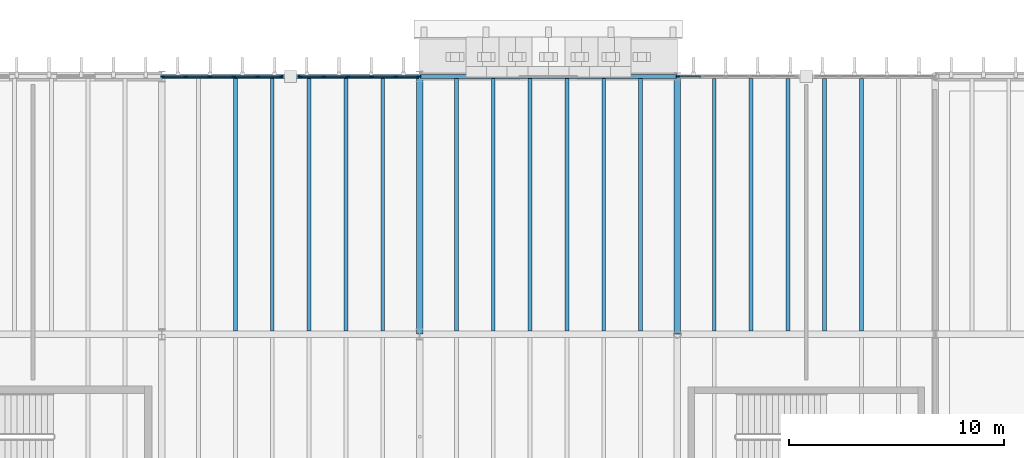
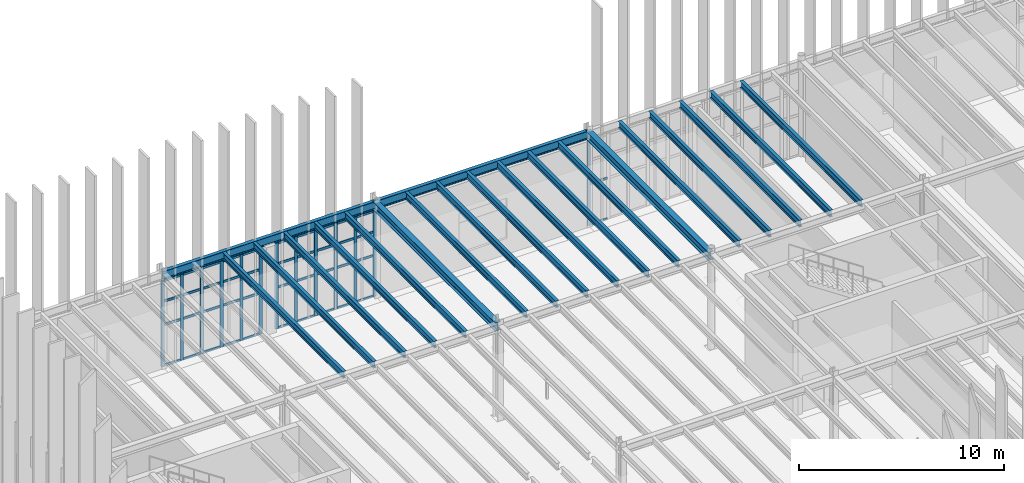
# One storey, part 20 of 83: 55 members, 20 beams, 3 elements without a shape of their own.
"""IFC4 building model written with IfcOpenShell, lengths in metres."""

from ifc_helpers import new_model, si_unit, direction, frame, origin, origin_2d, place, context, subcontext, project, spatial, rectangle, i_section, extrude, material, layer, layer_set, material_profile, profile_set, type_object, element, aggregate, save


model = new_model("IFC4")

# Units and contexts
model_context = context("Model", 3, precision=1e-05, world=origin(), true_north=direction((0.0, 1.0)))
body_context = subcontext(model_context, "Body", "Model", "MODEL_VIEW")
ifc_project = project(units=[si_unit("LENGTHUNIT", "METRE"), si_unit("AREAUNIT", "SQUARE_METRE"), si_unit("VOLUMEUNIT", "CUBIC_METRE"), si_unit("PLANEANGLEUNIT", "RADIAN"), si_unit("MASSUNIT", "GRAM", prefix="KILO")], contexts=[model_context])

# Site, building, storey
site_placement = place(None, origin())
site = spatial("IfcSite", under=ifc_project, at=site_placement, CompositionType="ELEMENT")
building_placement = place(site_placement, origin())
building = spatial("IfcBuilding", under=site, at=building_placement, Name="Zlatogorsky Bluff Art Gallery", CompositionType="ELEMENT")
storey_placement = place(building_placement, frame((0.0, 0.0, 10.800048828125)))
storey = spatial("IfcBuildingStorey", under=building, at=storey_placement, Name="L02", CompositionType="ELEMENT", Elevation=10.800048828125)

# Beams
ifc_material_1 = material(Name="Steel S355", Category="steel")
ifc_material_profile_1 = material_profile(ifc_material_1, i_section(OverallWidth=0.300048828125, OverallDepth=0.489990234375, WebThickness=0.011962890625, FlangeThickness=0.02294921875, FilletRadius=0.027099609375, at=origin_2d()), Name="HEA 500")
ifc_profile_set_1 = profile_set([ifc_material_profile_1], Name="Steel S355")
beam_type_1 = type_object("IfcBeamType", Name="Beam BM-07 HEA 500", PredefinedType="BEAM", material=ifc_profile_set_1)
for number, where, z_axis, x_axis, name in (
    (1, (24.0, 108.014892578125, 5.445068359375), (0.0, 1.0, 0.0), (-1.0, 0.0, 0.0), "Primary girder BM-07 L02 C/11-12"),
    (2, (36.0, 108.014892578125, 5.445068359375), (0.0, 1.0, 0.0), (-1.0, 0.0, 0.0), "Primary girder BM-07 L02 D/11-12"),
):
    element("IfcBeam", number, at=place(storey_placement, frame(where, z_axis=z_axis, x_axis=x_axis)), inside=storey, type_object=beam_type_1, Name=name, PredefinedType="BEAM", context=body_context, shape_type="SweptSolid", body=[
        extrude(i_section(OverallWidth=0.300048828125, OverallDepth=0.489990234375, WebThickness=0.011962890625, FlangeThickness=0.02294921875, FilletRadius=0.027099609375, at=origin_2d()), origin(), (0.0, 0.0, 1.0), 11.97021484375),
    ])
ifc_material_profile_2 = material_profile(ifc_material_1, i_section(OverallWidth=0.179931640625, OverallDepth=0.39990234375, WebThickness=0.008544921875, FlangeThickness=0.013427734375, FilletRadius=0.02099609375, at=origin_2d()), Name="IPE 400")
ifc_profile_set_2 = profile_set([ifc_material_profile_2], Name="Steel S355")
beam_type_2 = type_object("IfcBeamType", Name="Beam JS-05 IPE 400", PredefinedType="JOIST", material=ifc_profile_set_2)
for number, where, z_axis, x_axis, name in (
    (3, (15.428466796875, 108.14990234375, 5.489990234375), (0.0, 1.0, 0.0), (-1.0, 0.0, 0.0), "Composite floor joist JS-05 L02 01.10.2"),
    (4, (17.142822265625, 108.14990234375, 5.489990234375), (0.0, 1.0, 0.0), (-1.0, 0.0, 0.0), "Composite floor joist JS-05 L02 01.10.3"),
    (5, (18.857177734375, 108.14990234375, 5.489990234375), (0.0, 1.0, 0.0), (-1.0, 0.0, 0.0), "Composite floor joist JS-05 L02 01.10.4"),
    (6, (20.571533203125, 108.14990234375, 5.489990234375), (0.0, 1.0, 0.0), (-1.0, 0.0, 0.0), "Composite floor joist JS-05 L02 01.10.5"),
    (7, (22.28564453125, 108.14990234375, 5.489990234375), (0.0, 1.0, 0.0), (-1.0, 0.0, 0.0), "Composite floor joist JS-05 L02 01.10.6"),
    (8, (25.71435546875, 108.14990234375, 5.489990234375), (0.0, 1.0, 0.0), (-1.0, 0.0, 0.0), "Composite floor joist JS-05 L02 02.10.1"),
    (9, (27.428466796875, 108.14990234375, 5.489990234375), (0.0, 1.0, 0.0), (-1.0, 0.0, 0.0), "Composite floor joist JS-05 L02 02.10.2"),
    (10, (29.142822265625, 108.14990234375, 5.489990234375), (0.0, 1.0, 0.0), (-1.0, 0.0, 0.0), "Composite floor joist JS-05 L02 02.10.3"),
    (11, (30.857177734375, 108.14990234375, 5.489990234375), (0.0, 1.0, 0.0), (-1.0, 0.0, 0.0), "Composite floor joist JS-05 L02 02.10.4"),
    (12, (32.571533203125, 108.14990234375, 5.489990234375), (0.0, 1.0, 0.0), (-1.0, 0.0, 0.0), "Composite floor joist JS-05 L02 02.10.5"),
    (13, (34.28564453125, 108.14990234375, 5.489990234375), (0.0, 1.0, 0.0), (-1.0, 0.0, 0.0), "Composite floor joist JS-05 L02 02.10.6"),
    (14, (37.71435546875, 108.14990234375, 5.489990234375), (0.0, 1.0, 0.0), (-1.0, 0.0, 0.0), "Composite floor joist JS-05 L02 03.10.1"),
    (15, (39.428466796875, 108.14990234375, 5.489990234375), (0.0, 1.0, 0.0), (-1.0, 0.0, 0.0), "Composite floor joist JS-05 L02 03.10.2"),
    (16, (41.142822265625, 108.14990234375, 5.489990234375), (0.0, 1.0, 0.0), (-1.0, 0.0, 0.0), "Composite floor joist JS-05 L02 03.10.3"),
    (17, (42.857177734375, 108.14990234375, 5.489990234375), (0.0, 1.0, 0.0), (-1.0, 0.0, 0.0), "Composite floor joist JS-05 L02 03.10.4"),
    (18, (44.571533203125, 108.14990234375, 5.489990234375), (0.0, 1.0, 0.0), (-1.0, 0.0, 0.0), "Composite floor joist JS-05 L02 03.10.5"),
):
    element("IfcBeam", number, at=place(storey_placement, frame(where, z_axis=z_axis, x_axis=x_axis)), inside=storey, type_object=beam_type_2, Name=name, PredefinedType="JOIST", context=body_context, shape_type="SweptSolid", body=[
        extrude(i_section(OverallWidth=0.179931640625, OverallDepth=0.39990234375, WebThickness=0.008544921875, FlangeThickness=0.013427734375, FilletRadius=0.02099609375, at=origin_2d()), origin(), (0.0, 0.0, 1.0), 11.75),
    ])
ifc_material_profile_3 = material_profile(ifc_material_1, i_section(OverallWidth=0.199951171875, OverallDepth=0.5, WebThickness=0.01025390625, FlangeThickness=0.01611328125, FilletRadius=0.02099609375, at=origin_2d()), Name="IPE 500")
ifc_profile_set_3 = profile_set([ifc_material_profile_3], Name="Steel S355")
beam_type_3 = type_object("IfcBeamType", Name="Beam SP-01 IPE 500", PredefinedType="SPANDREL", material=ifc_profile_set_3)
for number, where, z_axis, x_axis, name in (
    (19, (12.014892578125, 120.0, 5.43994140625), (1.0, 0.0, 0.0), (0.0, 1.0, 0.0), "Primary girder SP-01 L02 B-C/12"),
    (20, (24.014892578125, 120.0, 5.43994140625), (1.0, 0.0, 0.0), (0.0, 1.0, 0.0), "Primary girder SP-01 L02 C-D/12"),
):
    element("IfcBeam", number, at=place(storey_placement, frame(where, z_axis=z_axis, x_axis=x_axis)), inside=storey, type_object=beam_type_3, Name=name, PredefinedType="SPANDREL", context=body_context, shape_type="SweptSolid", body=[
        extrude(i_section(OverallWidth=0.199951171875, OverallDepth=0.5, WebThickness=0.01025390625, FlangeThickness=0.01611328125, FilletRadius=0.02099609375, at=origin_2d()), origin(), (0.0, 0.0, 1.0), 11.97021484375),
    ])

# Curtain wall, members
ifc_material_2 = material(Name="Anodised Bronze Aluminium and Low-Iron Triple Glazing", Category="aluminium")
ifc_layer = layer(ifc_material_2, 0.179931640625)
ifc_layer_set = layer_set([ifc_layer], Name="Curtain Wall CW-03")
curtain_wall_type = type_object("IfcCurtainWallType", Name="Curtain Wall CW-03", PredefinedType="USERDEFINED", material=ifc_layer_set)
curtain_wall_1_placement = place(storey_placement, origin())
curtain_wall_1 = element("IfcCurtainWall", 21, at=curtain_wall_1_placement, inside=storey, type_object=curtain_wall_type, Name="Unitised curtain wall CW-03 L02 N 1.10-A", ObjectType="CURTAIN WALL", PredefinedType="USERDEFINED")
ifc_material_3 = material(Name="Anodised Bronze Aluminium", Category="aluminium")
ifc_material_profile_4 = material_profile(ifc_material_3, rectangle(XDim=0.06494140625, YDim=0.179931640625, at=origin_2d()), Name="ALU MULLION 65x180")
ifc_profile_set_4 = profile_set([ifc_material_profile_4], Name="Anodised Bronze Aluminium")
member_type_1 = type_object("IfcMemberType", Name="Curtain Mullion ML-01", PredefinedType="MULLION", material=ifc_profile_set_4)
member_1_placement = place(storey_placement, frame((23.967529296875, 120.0, 0.0), z_axis=(0.0, 0.0, 1.0), x_axis=(0.0, -1.0, 0.0)))
member_1 = element("IfcMember", 22, at=member_1_placement, type_object=member_type_1, Name="CW-03 mullion 1", PredefinedType="MULLION", context=body_context, shape_type="SweptSolid", body=[
    extrude(rectangle(XDim=0.06494140625, YDim=0.179931640625, at=origin_2d()), origin(), (0.0, 0.0, 1.0), 5.10986328125),
])
member_2_placement = place(storey_placement, frame((22.884033203125, 120.0, 0.0), z_axis=(0.0, 0.0, 1.0), x_axis=(0.0, -1.0, 0.0)))
member_2 = element("IfcMember", 23, at=member_2_placement, type_object=member_type_1, Name="CW-03 mullion 2", PredefinedType="MULLION", context=body_context, shape_type="SweptSolid", body=[
    extrude(rectangle(XDim=0.06494140625, YDim=0.179931640625, at=origin_2d()), origin(), (0.0, 0.0, 1.0), 5.10986328125),
])
member_3_placement = place(storey_placement, frame((21.76806640625, 120.0, 0.0), z_axis=(0.0, 0.0, 1.0), x_axis=(0.0, -1.0, 0.0)))
member_3 = element("IfcMember", 24, at=member_3_placement, type_object=member_type_1, Name="CW-03 mullion 3", PredefinedType="MULLION", context=body_context, shape_type="SweptSolid", body=[
    extrude(rectangle(XDim=0.06494140625, YDim=0.179931640625, at=origin_2d()), origin(), (0.0, 0.0, 1.0), 5.10986328125),
])
member_4_placement = place(storey_placement, frame((20.652099609375, 120.0, 0.0), z_axis=(0.0, 0.0, 1.0), x_axis=(0.0, -1.0, 0.0)))
member_4 = element("IfcMember", 25, at=member_4_placement, type_object=member_type_1, Name="CW-03 mullion 4", PredefinedType="MULLION", context=body_context, shape_type="SweptSolid", body=[
    extrude(rectangle(XDim=0.06494140625, YDim=0.179931640625, at=origin_2d()), origin(), (0.0, 0.0, 1.0), 5.10986328125),
])
member_5_placement = place(storey_placement, frame((19.535888671875, 120.0, 0.0), z_axis=(0.0, 0.0, 1.0), x_axis=(0.0, -1.0, 0.0)))
member_5 = element("IfcMember", 26, at=member_5_placement, type_object=member_type_1, Name="CW-03 mullion 5", PredefinedType="MULLION", context=body_context, shape_type="SweptSolid", body=[
    extrude(rectangle(XDim=0.06494140625, YDim=0.179931640625, at=origin_2d()), origin(), (0.0, 0.0, 1.0), 5.10986328125),
])
member_6_placement = place(storey_placement, frame((18.452392578125, 120.0, 0.0), z_axis=(0.0, 0.0, 1.0), x_axis=(0.0, -1.0, 0.0)))
member_6 = element("IfcMember", 27, at=member_6_placement, type_object=member_type_1, Name="CW-03 mullion 6", PredefinedType="MULLION", context=body_context, shape_type="SweptSolid", body=[
    extrude(rectangle(XDim=0.06494140625, YDim=0.179931640625, at=origin_2d()), origin(), (0.0, 0.0, 1.0), 5.10986328125),
])

curtain_wall_2_placement = place(storey_placement, origin())
curtain_wall_2 = element("IfcCurtainWall", 28, at=curtain_wall_2_placement, inside=storey, type_object=curtain_wall_type, Name="Unitised curtain wall CW-03 L02 N 1.10-B", ObjectType="CURTAIN WALL", PredefinedType="USERDEFINED")
member_7_placement = place(storey_placement, frame((17.547607421875, 120.0, 0.0), z_axis=(0.0, 0.0, 1.0), x_axis=(0.0, -1.0, 0.0)))
member_7 = element("IfcMember", 29, at=member_7_placement, type_object=member_type_1, Name="CW-03 mullion 1", PredefinedType="MULLION", context=body_context, shape_type="SweptSolid", body=[
    extrude(rectangle(XDim=0.06494140625, YDim=0.179931640625, at=origin_2d()), origin(), (0.0, 0.0, 1.0), 5.10986328125),
])
member_8_placement = place(storey_placement, frame((16.464111328125, 120.0, 0.0), z_axis=(0.0, 0.0, 1.0), x_axis=(0.0, -1.0, 0.0)))
member_8 = element("IfcMember", 30, at=member_8_placement, type_object=member_type_1, Name="CW-03 mullion 2", PredefinedType="MULLION", context=body_context, shape_type="SweptSolid", body=[
    extrude(rectangle(XDim=0.06494140625, YDim=0.179931640625, at=origin_2d()), origin(), (0.0, 0.0, 1.0), 5.10986328125),
])
member_9_placement = place(storey_placement, frame((15.347900390625, 120.0, 0.0), z_axis=(0.0, 0.0, 1.0), x_axis=(0.0, -1.0, 0.0)))
member_9 = element("IfcMember", 31, at=member_9_placement, type_object=member_type_1, Name="CW-03 mullion 3", PredefinedType="MULLION", context=body_context, shape_type="SweptSolid", body=[
    extrude(rectangle(XDim=0.06494140625, YDim=0.179931640625, at=origin_2d()), origin(), (0.0, 0.0, 1.0), 5.10986328125),
])
member_10_placement = place(storey_placement, frame((14.23193359375, 120.0, 0.0), z_axis=(0.0, 0.0, 1.0), x_axis=(0.0, -1.0, 0.0)))
member_10 = element("IfcMember", 32, at=member_10_placement, type_object=member_type_1, Name="CW-03 mullion 4", PredefinedType="MULLION", context=body_context, shape_type="SweptSolid", body=[
    extrude(rectangle(XDim=0.06494140625, YDim=0.179931640625, at=origin_2d()), origin(), (0.0, 0.0, 1.0), 5.10986328125),
])
member_11_placement = place(storey_placement, frame((13.115966796875, 120.0, 0.0), z_axis=(0.0, 0.0, 1.0), x_axis=(0.0, -1.0, 0.0)))
member_11 = element("IfcMember", 33, at=member_11_placement, type_object=member_type_1, Name="CW-03 mullion 5", PredefinedType="MULLION", context=body_context, shape_type="SweptSolid", body=[
    extrude(rectangle(XDim=0.06494140625, YDim=0.179931640625, at=origin_2d()), origin(), (0.0, 0.0, 1.0), 5.10986328125),
])
member_12_placement = place(storey_placement, frame((12.032470703125, 120.0, 0.0), z_axis=(0.0, 0.0, 1.0), x_axis=(0.0, -1.0, 0.0)))
member_12 = element("IfcMember", 34, at=member_12_placement, type_object=member_type_1, Name="CW-03 mullion 6", PredefinedType="MULLION", context=body_context, shape_type="SweptSolid", body=[
    extrude(rectangle(XDim=0.06494140625, YDim=0.179931640625, at=origin_2d()), origin(), (0.0, 0.0, 1.0), 5.10986328125),
])

# Curtain wall, member
curtain_wall_3_placement = place(storey_placement, origin())
curtain_wall_3 = element("IfcCurtainWall", 35, at=curtain_wall_3_placement, inside=storey, type_object=curtain_wall_type, Name="Unitised curtain wall CW-03 L02 N 3.10-B", ObjectType="CURTAIN WALL", PredefinedType="USERDEFINED")
member_13_placement = place(storey_placement, frame((36.032470703125, 120.0, 0.0), z_axis=(0.0, 0.0, 1.0), x_axis=(0.0, -1.0, 0.0)))
member_13 = element("IfcMember", 36, at=member_13_placement, type_object=member_type_1, Name="CW-03 mullion 6", PredefinedType="MULLION", context=body_context, shape_type="SweptSolid", body=[
    extrude(rectangle(XDim=0.06494140625, YDim=0.179931640625, at=origin_2d()), origin(), (0.0, 0.0, 1.0), 5.10986328125),
])

# Member
ifc_material_profile_5 = material_profile(ifc_material_3, rectangle(XDim=0.06494140625, YDim=0.139892578125, at=origin_2d()), Name="ALU TRANSOM 65x140")
ifc_profile_set_5 = profile_set([ifc_material_profile_5], Name="Anodised Bronze Aluminium")
member_type_2 = type_object("IfcMemberType", Name="Curtain Transom TR-01", PredefinedType="USERDEFINED", material=ifc_profile_set_5)
member_14_placement = place(storey_placement, frame((23.93505859375, 120.0, 0.032470703125), z_axis=(-1.0, 0.0, 0.0), x_axis=(0.0, -1.0, 0.0)))
member_14 = element("IfcMember", 37, at=member_14_placement, type_object=member_type_2, Name="CW-03 transom 1.1", ObjectType="TRANSOM", PredefinedType="USERDEFINED", context=body_context, shape_type="SweptSolid", body=[
    extrude(rectangle(XDim=0.06494140625, YDim=0.139892578125, at=origin_2d()), origin(), (0.0, 0.0, 1.0), 1.0185546875),
])

member_15_placement = place(storey_placement, frame((23.93505859375, 120.0, 2.449951171875), z_axis=(-1.0, 0.0, 0.0), x_axis=(0.0, -1.0, 0.0)))
member_15 = element("IfcMember", 38, at=member_15_placement, type_object=member_type_2, Name="CW-03 transom 1.2", ObjectType="TRANSOM", PredefinedType="USERDEFINED", context=body_context, shape_type="SweptSolid", body=[
    extrude(rectangle(XDim=0.06494140625, YDim=0.139892578125, at=origin_2d()), origin(), (0.0, 0.0, 1.0), 1.0185546875),
])

member_16_placement = place(storey_placement, frame((23.93505859375, 120.0, 3.849853515625), z_axis=(-1.0, 0.0, 0.0), x_axis=(0.0, -1.0, 0.0)))
member_16 = element("IfcMember", 39, at=member_16_placement, type_object=member_type_2, Name="CW-03 transom 1.3", ObjectType="TRANSOM", PredefinedType="USERDEFINED", context=body_context, shape_type="SweptSolid", body=[
    extrude(rectangle(XDim=0.06494140625, YDim=0.139892578125, at=origin_2d()), origin(), (0.0, 0.0, 1.0), 1.0185546875),
])

member_17_placement = place(storey_placement, frame((23.93505859375, 120.0, 5.077392578125), z_axis=(-1.0, 0.0, 0.0), x_axis=(0.0, -1.0, 0.0)))
member_17 = element("IfcMember", 40, at=member_17_placement, type_object=member_type_2, Name="CW-03 transom 1.4", ObjectType="TRANSOM", PredefinedType="USERDEFINED", context=body_context, shape_type="SweptSolid", body=[
    extrude(rectangle(XDim=0.06494140625, YDim=0.139892578125, at=origin_2d()), origin(), (0.0, 0.0, 1.0), 1.0185546875),
])

member_18_placement = place(storey_placement, frame((22.8515625, 120.0, 0.032470703125), z_axis=(-1.0, 0.0, 0.0), x_axis=(0.0, -1.0, 0.0)))
member_18 = element("IfcMember", 41, at=member_18_placement, type_object=member_type_2, Name="CW-03 transom 2.1", ObjectType="TRANSOM", PredefinedType="USERDEFINED", context=body_context, shape_type="SweptSolid", body=[
    extrude(rectangle(XDim=0.06494140625, YDim=0.139892578125, at=origin_2d()), origin(), (0.0, 0.0, 1.0), 1.051025390625),
])

member_19_placement = place(storey_placement, frame((22.8515625, 120.0, 2.449951171875), z_axis=(-1.0, 0.0, 0.0), x_axis=(0.0, -1.0, 0.0)))
member_19 = element("IfcMember", 42, at=member_19_placement, type_object=member_type_2, Name="CW-03 transom 2.2", ObjectType="TRANSOM", PredefinedType="USERDEFINED", context=body_context, shape_type="SweptSolid", body=[
    extrude(rectangle(XDim=0.06494140625, YDim=0.139892578125, at=origin_2d()), origin(), (0.0, 0.0, 1.0), 1.051025390625),
])

member_20_placement = place(storey_placement, frame((22.8515625, 120.0, 3.849853515625), z_axis=(-1.0, 0.0, 0.0), x_axis=(0.0, -1.0, 0.0)))
member_20 = element("IfcMember", 43, at=member_20_placement, type_object=member_type_2, Name="CW-03 transom 2.3", ObjectType="TRANSOM", PredefinedType="USERDEFINED", context=body_context, shape_type="SweptSolid", body=[
    extrude(rectangle(XDim=0.06494140625, YDim=0.139892578125, at=origin_2d()), origin(), (0.0, 0.0, 1.0), 1.051025390625),
])

member_21_placement = place(storey_placement, frame((22.8515625, 120.0, 5.077392578125), z_axis=(-1.0, 0.0, 0.0), x_axis=(0.0, -1.0, 0.0)))
member_21 = element("IfcMember", 44, at=member_21_placement, type_object=member_type_2, Name="CW-03 transom 2.4", ObjectType="TRANSOM", PredefinedType="USERDEFINED", context=body_context, shape_type="SweptSolid", body=[
    extrude(rectangle(XDim=0.06494140625, YDim=0.139892578125, at=origin_2d()), origin(), (0.0, 0.0, 1.0), 1.051025390625),
])

member_22_placement = place(storey_placement, frame((21.735595703125, 120.0, 0.032470703125), z_axis=(-1.0, 0.0, 0.0), x_axis=(0.0, -1.0, 0.0)))
member_22 = element("IfcMember", 45, at=member_22_placement, type_object=member_type_2, Name="CW-03 transom 3.1", ObjectType="TRANSOM", PredefinedType="USERDEFINED", context=body_context, shape_type="SweptSolid", body=[
    extrude(rectangle(XDim=0.06494140625, YDim=0.139892578125, at=origin_2d()), origin(), (0.0, 0.0, 1.0), 1.051025390625),
])

member_23_placement = place(storey_placement, frame((21.735595703125, 120.0, 2.449951171875), z_axis=(-1.0, 0.0, 0.0), x_axis=(0.0, -1.0, 0.0)))
member_23 = element("IfcMember", 46, at=member_23_placement, type_object=member_type_2, Name="CW-03 transom 3.2", ObjectType="TRANSOM", PredefinedType="USERDEFINED", context=body_context, shape_type="SweptSolid", body=[
    extrude(rectangle(XDim=0.06494140625, YDim=0.139892578125, at=origin_2d()), origin(), (0.0, 0.0, 1.0), 1.051025390625),
])

member_24_placement = place(storey_placement, frame((21.735595703125, 120.0, 3.849853515625), z_axis=(-1.0, 0.0, 0.0), x_axis=(0.0, -1.0, 0.0)))
member_24 = element("IfcMember", 47, at=member_24_placement, type_object=member_type_2, Name="CW-03 transom 3.3", ObjectType="TRANSOM", PredefinedType="USERDEFINED", context=body_context, shape_type="SweptSolid", body=[
    extrude(rectangle(XDim=0.06494140625, YDim=0.139892578125, at=origin_2d()), origin(), (0.0, 0.0, 1.0), 1.051025390625),
])

member_25_placement = place(storey_placement, frame((21.735595703125, 120.0, 5.077392578125), z_axis=(-1.0, 0.0, 0.0), x_axis=(0.0, -1.0, 0.0)))
member_25 = element("IfcMember", 48, at=member_25_placement, type_object=member_type_2, Name="CW-03 transom 3.4", ObjectType="TRANSOM", PredefinedType="USERDEFINED", context=body_context, shape_type="SweptSolid", body=[
    extrude(rectangle(XDim=0.06494140625, YDim=0.139892578125, at=origin_2d()), origin(), (0.0, 0.0, 1.0), 1.051025390625),
])

member_26_placement = place(storey_placement, frame((20.619384765625, 120.0, 0.032470703125), z_axis=(-1.0, 0.0, 0.0), x_axis=(0.0, -1.0, 0.0)))
member_26 = element("IfcMember", 49, at=member_26_placement, type_object=member_type_2, Name="CW-03 transom 4.1", ObjectType="TRANSOM", PredefinedType="USERDEFINED", context=body_context, shape_type="SweptSolid", body=[
    extrude(rectangle(XDim=0.06494140625, YDim=0.139892578125, at=origin_2d()), origin(), (0.0, 0.0, 1.0), 1.05078125),
])

member_27_placement = place(storey_placement, frame((20.619384765625, 120.0, 2.449951171875), z_axis=(-1.0, 0.0, 0.0), x_axis=(0.0, -1.0, 0.0)))
member_27 = element("IfcMember", 50, at=member_27_placement, type_object=member_type_2, Name="CW-03 transom 4.2", ObjectType="TRANSOM", PredefinedType="USERDEFINED", context=body_context, shape_type="SweptSolid", body=[
    extrude(rectangle(XDim=0.06494140625, YDim=0.139892578125, at=origin_2d()), origin(), (0.0, 0.0, 1.0), 1.05078125),
])

member_28_placement = place(storey_placement, frame((20.619384765625, 120.0, 3.849853515625), z_axis=(-1.0, 0.0, 0.0), x_axis=(0.0, -1.0, 0.0)))
member_28 = element("IfcMember", 51, at=member_28_placement, type_object=member_type_2, Name="CW-03 transom 4.3", ObjectType="TRANSOM", PredefinedType="USERDEFINED", context=body_context, shape_type="SweptSolid", body=[
    extrude(rectangle(XDim=0.06494140625, YDim=0.139892578125, at=origin_2d()), origin(), (0.0, 0.0, 1.0), 1.05078125),
])

member_29_placement = place(storey_placement, frame((20.619384765625, 120.0, 5.077392578125), z_axis=(-1.0, 0.0, 0.0), x_axis=(0.0, -1.0, 0.0)))
member_29 = element("IfcMember", 52, at=member_29_placement, type_object=member_type_2, Name="CW-03 transom 4.4", ObjectType="TRANSOM", PredefinedType="USERDEFINED", context=body_context, shape_type="SweptSolid", body=[
    extrude(rectangle(XDim=0.06494140625, YDim=0.139892578125, at=origin_2d()), origin(), (0.0, 0.0, 1.0), 1.05078125),
])

member_30_placement = place(storey_placement, frame((19.50341796875, 120.0, 0.032470703125), z_axis=(-1.0, 0.0, 0.0), x_axis=(0.0, -1.0, 0.0)))
member_30 = element("IfcMember", 53, at=member_30_placement, type_object=member_type_2, Name="CW-03 transom 5.1", ObjectType="TRANSOM", PredefinedType="USERDEFINED", context=body_context, shape_type="SweptSolid", body=[
    extrude(rectangle(XDim=0.06494140625, YDim=0.139892578125, at=origin_2d()), origin(), (0.0, 0.0, 1.0), 1.018310546875),
])

member_31_placement = place(storey_placement, frame((19.50341796875, 120.0, 2.449951171875), z_axis=(-1.0, 0.0, 0.0), x_axis=(0.0, -1.0, 0.0)))
member_31 = element("IfcMember", 54, at=member_31_placement, type_object=member_type_2, Name="CW-03 transom 5.2", ObjectType="TRANSOM", PredefinedType="USERDEFINED", context=body_context, shape_type="SweptSolid", body=[
    extrude(rectangle(XDim=0.06494140625, YDim=0.139892578125, at=origin_2d()), origin(), (0.0, 0.0, 1.0), 1.018310546875),
])

member_32_placement = place(storey_placement, frame((19.50341796875, 120.0, 3.849853515625), z_axis=(-1.0, 0.0, 0.0), x_axis=(0.0, -1.0, 0.0)))
member_32 = element("IfcMember", 55, at=member_32_placement, type_object=member_type_2, Name="CW-03 transom 5.3", ObjectType="TRANSOM", PredefinedType="USERDEFINED", context=body_context, shape_type="SweptSolid", body=[
    extrude(rectangle(XDim=0.06494140625, YDim=0.139892578125, at=origin_2d()), origin(), (0.0, 0.0, 1.0), 1.018310546875),
])

member_33_placement = place(storey_placement, frame((19.50341796875, 120.0, 5.077392578125), z_axis=(-1.0, 0.0, 0.0), x_axis=(0.0, -1.0, 0.0)))
member_33 = element("IfcMember", 56, at=member_33_placement, type_object=member_type_2, Name="CW-03 transom 5.4", ObjectType="TRANSOM", PredefinedType="USERDEFINED", context=body_context, shape_type="SweptSolid", body=[
    extrude(rectangle(XDim=0.06494140625, YDim=0.139892578125, at=origin_2d()), origin(), (0.0, 0.0, 1.0), 1.018310546875),
])

aggregate(curtain_wall_1, [member_1, member_2, member_3, member_4, member_5, member_6, member_14, member_15, member_16, member_17, member_18, member_19, member_20, member_21, member_22, member_23, member_24, member_25, member_26, member_27, member_28, member_29, member_30, member_31, member_32, member_33])

member_34_placement = place(storey_placement, frame((17.514892578125, 120.0, 0.032470703125), z_axis=(-1.0, 0.0, 0.0), x_axis=(0.0, -1.0, 0.0)))
member_34 = element("IfcMember", 57, at=member_34_placement, type_object=member_type_2, Name="CW-03 transom 1.1", ObjectType="TRANSOM", PredefinedType="USERDEFINED", context=body_context, shape_type="SweptSolid", body=[
    extrude(rectangle(XDim=0.06494140625, YDim=0.139892578125, at=origin_2d()), origin(), (0.0, 0.0, 1.0), 1.018310546875),
])

member_35_placement = place(storey_placement, frame((17.514892578125, 120.0, 2.449951171875), z_axis=(-1.0, 0.0, 0.0), x_axis=(0.0, -1.0, 0.0)))
member_35 = element("IfcMember", 58, at=member_35_placement, type_object=member_type_2, Name="CW-03 transom 1.2", ObjectType="TRANSOM", PredefinedType="USERDEFINED", context=body_context, shape_type="SweptSolid", body=[
    extrude(rectangle(XDim=0.06494140625, YDim=0.139892578125, at=origin_2d()), origin(), (0.0, 0.0, 1.0), 1.018310546875),
])

member_36_placement = place(storey_placement, frame((17.514892578125, 120.0, 3.849853515625), z_axis=(-1.0, 0.0, 0.0), x_axis=(0.0, -1.0, 0.0)))
member_36 = element("IfcMember", 59, at=member_36_placement, type_object=member_type_2, Name="CW-03 transom 1.3", ObjectType="TRANSOM", PredefinedType="USERDEFINED", context=body_context, shape_type="SweptSolid", body=[
    extrude(rectangle(XDim=0.06494140625, YDim=0.139892578125, at=origin_2d()), origin(), (0.0, 0.0, 1.0), 1.018310546875),
])

member_37_placement = place(storey_placement, frame((17.514892578125, 120.0, 5.077392578125), z_axis=(-1.0, 0.0, 0.0), x_axis=(0.0, -1.0, 0.0)))
member_37 = element("IfcMember", 60, at=member_37_placement, type_object=member_type_2, Name="CW-03 transom 1.4", ObjectType="TRANSOM", PredefinedType="USERDEFINED", context=body_context, shape_type="SweptSolid", body=[
    extrude(rectangle(XDim=0.06494140625, YDim=0.139892578125, at=origin_2d()), origin(), (0.0, 0.0, 1.0), 1.018310546875),
])

member_38_placement = place(storey_placement, frame((16.431396484375, 120.0, 0.032470703125), z_axis=(-1.0, 0.0, 0.0), x_axis=(0.0, -1.0, 0.0)))
member_38 = element("IfcMember", 61, at=member_38_placement, type_object=member_type_2, Name="CW-03 transom 2.1", ObjectType="TRANSOM", PredefinedType="USERDEFINED", context=body_context, shape_type="SweptSolid", body=[
    extrude(rectangle(XDim=0.06494140625, YDim=0.139892578125, at=origin_2d()), origin(), (0.0, 0.0, 1.0), 1.05078125),
])

member_39_placement = place(storey_placement, frame((16.431396484375, 120.0, 2.449951171875), z_axis=(-1.0, 0.0, 0.0), x_axis=(0.0, -1.0, 0.0)))
member_39 = element("IfcMember", 62, at=member_39_placement, type_object=member_type_2, Name="CW-03 transom 2.2", ObjectType="TRANSOM", PredefinedType="USERDEFINED", context=body_context, shape_type="SweptSolid", body=[
    extrude(rectangle(XDim=0.06494140625, YDim=0.139892578125, at=origin_2d()), origin(), (0.0, 0.0, 1.0), 1.05078125),
])

member_40_placement = place(storey_placement, frame((16.431396484375, 120.0, 3.849853515625), z_axis=(-1.0, 0.0, 0.0), x_axis=(0.0, -1.0, 0.0)))
member_40 = element("IfcMember", 63, at=member_40_placement, type_object=member_type_2, Name="CW-03 transom 2.3", ObjectType="TRANSOM", PredefinedType="USERDEFINED", context=body_context, shape_type="SweptSolid", body=[
    extrude(rectangle(XDim=0.06494140625, YDim=0.139892578125, at=origin_2d()), origin(), (0.0, 0.0, 1.0), 1.05078125),
])

member_41_placement = place(storey_placement, frame((16.431396484375, 120.0, 5.077392578125), z_axis=(-1.0, 0.0, 0.0), x_axis=(0.0, -1.0, 0.0)))
member_41 = element("IfcMember", 64, at=member_41_placement, type_object=member_type_2, Name="CW-03 transom 2.4", ObjectType="TRANSOM", PredefinedType="USERDEFINED", context=body_context, shape_type="SweptSolid", body=[
    extrude(rectangle(XDim=0.06494140625, YDim=0.139892578125, at=origin_2d()), origin(), (0.0, 0.0, 1.0), 1.05078125),
])

member_42_placement = place(storey_placement, frame((15.3154296875, 120.0, 0.032470703125), z_axis=(-1.0, 0.0, 0.0), x_axis=(0.0, -1.0, 0.0)))
member_42 = element("IfcMember", 65, at=member_42_placement, type_object=member_type_2, Name="CW-03 transom 3.1", ObjectType="TRANSOM", PredefinedType="USERDEFINED", context=body_context, shape_type="SweptSolid", body=[
    extrude(rectangle(XDim=0.06494140625, YDim=0.139892578125, at=origin_2d()), origin(), (0.0, 0.0, 1.0), 1.051025390625),
])

member_43_placement = place(storey_placement, frame((15.3154296875, 120.0, 2.449951171875), z_axis=(-1.0, 0.0, 0.0), x_axis=(0.0, -1.0, 0.0)))
member_43 = element("IfcMember", 66, at=member_43_placement, type_object=member_type_2, Name="CW-03 transom 3.2", ObjectType="TRANSOM", PredefinedType="USERDEFINED", context=body_context, shape_type="SweptSolid", body=[
    extrude(rectangle(XDim=0.06494140625, YDim=0.139892578125, at=origin_2d()), origin(), (0.0, 0.0, 1.0), 1.051025390625),
])

member_44_placement = place(storey_placement, frame((15.3154296875, 120.0, 3.849853515625), z_axis=(-1.0, 0.0, 0.0), x_axis=(0.0, -1.0, 0.0)))
member_44 = element("IfcMember", 67, at=member_44_placement, type_object=member_type_2, Name="CW-03 transom 3.3", ObjectType="TRANSOM", PredefinedType="USERDEFINED", context=body_context, shape_type="SweptSolid", body=[
    extrude(rectangle(XDim=0.06494140625, YDim=0.139892578125, at=origin_2d()), origin(), (0.0, 0.0, 1.0), 1.051025390625),
])

member_45_placement = place(storey_placement, frame((15.3154296875, 120.0, 5.077392578125), z_axis=(-1.0, 0.0, 0.0), x_axis=(0.0, -1.0, 0.0)))
member_45 = element("IfcMember", 68, at=member_45_placement, type_object=member_type_2, Name="CW-03 transom 3.4", ObjectType="TRANSOM", PredefinedType="USERDEFINED", context=body_context, shape_type="SweptSolid", body=[
    extrude(rectangle(XDim=0.06494140625, YDim=0.139892578125, at=origin_2d()), origin(), (0.0, 0.0, 1.0), 1.051025390625),
])

member_46_placement = place(storey_placement, frame((14.199462890625, 120.0, 0.032470703125), z_axis=(-1.0, 0.0, 0.0), x_axis=(0.0, -1.0, 0.0)))
member_46 = element("IfcMember", 69, at=member_46_placement, type_object=member_type_2, Name="CW-03 transom 4.1", ObjectType="TRANSOM", PredefinedType="USERDEFINED", context=body_context, shape_type="SweptSolid", body=[
    extrude(rectangle(XDim=0.06494140625, YDim=0.139892578125, at=origin_2d()), origin(), (0.0, 0.0, 1.0), 1.051025390625),
])

member_47_placement = place(storey_placement, frame((14.199462890625, 120.0, 2.449951171875), z_axis=(-1.0, 0.0, 0.0), x_axis=(0.0, -1.0, 0.0)))
member_47 = element("IfcMember", 70, at=member_47_placement, type_object=member_type_2, Name="CW-03 transom 4.2", ObjectType="TRANSOM", PredefinedType="USERDEFINED", context=body_context, shape_type="SweptSolid", body=[
    extrude(rectangle(XDim=0.06494140625, YDim=0.139892578125, at=origin_2d()), origin(), (0.0, 0.0, 1.0), 1.051025390625),
])

member_48_placement = place(storey_placement, frame((14.199462890625, 120.0, 3.849853515625), z_axis=(-1.0, 0.0, 0.0), x_axis=(0.0, -1.0, 0.0)))
member_48 = element("IfcMember", 71, at=member_48_placement, type_object=member_type_2, Name="CW-03 transom 4.3", ObjectType="TRANSOM", PredefinedType="USERDEFINED", context=body_context, shape_type="SweptSolid", body=[
    extrude(rectangle(XDim=0.06494140625, YDim=0.139892578125, at=origin_2d()), origin(), (0.0, 0.0, 1.0), 1.051025390625),
])

member_49_placement = place(storey_placement, frame((14.199462890625, 120.0, 5.077392578125), z_axis=(-1.0, 0.0, 0.0), x_axis=(0.0, -1.0, 0.0)))
member_49 = element("IfcMember", 72, at=member_49_placement, type_object=member_type_2, Name="CW-03 transom 4.4", ObjectType="TRANSOM", PredefinedType="USERDEFINED", context=body_context, shape_type="SweptSolid", body=[
    extrude(rectangle(XDim=0.06494140625, YDim=0.139892578125, at=origin_2d()), origin(), (0.0, 0.0, 1.0), 1.051025390625),
])

member_50_placement = place(storey_placement, frame((13.08349609375, 120.0, 0.032470703125), z_axis=(-1.0, 0.0, 0.0), x_axis=(0.0, -1.0, 0.0)))
member_50 = element("IfcMember", 73, at=member_50_placement, type_object=member_type_2, Name="CW-03 transom 5.1", ObjectType="TRANSOM", PredefinedType="USERDEFINED", context=body_context, shape_type="SweptSolid", body=[
    extrude(rectangle(XDim=0.06494140625, YDim=0.139892578125, at=origin_2d()), origin(), (0.0, 0.0, 1.0), 1.0185546875),
])

member_51_placement = place(storey_placement, frame((13.08349609375, 120.0, 2.449951171875), z_axis=(-1.0, 0.0, 0.0), x_axis=(0.0, -1.0, 0.0)))
member_51 = element("IfcMember", 74, at=member_51_placement, type_object=member_type_2, Name="CW-03 transom 5.2", ObjectType="TRANSOM", PredefinedType="USERDEFINED", context=body_context, shape_type="SweptSolid", body=[
    extrude(rectangle(XDim=0.06494140625, YDim=0.139892578125, at=origin_2d()), origin(), (0.0, 0.0, 1.0), 1.0185546875),
])

member_52_placement = place(storey_placement, frame((13.08349609375, 120.0, 3.849853515625), z_axis=(-1.0, 0.0, 0.0), x_axis=(0.0, -1.0, 0.0)))
member_52 = element("IfcMember", 75, at=member_52_placement, type_object=member_type_2, Name="CW-03 transom 5.3", ObjectType="TRANSOM", PredefinedType="USERDEFINED", context=body_context, shape_type="SweptSolid", body=[
    extrude(rectangle(XDim=0.06494140625, YDim=0.139892578125, at=origin_2d()), origin(), (0.0, 0.0, 1.0), 1.0185546875),
])

member_53_placement = place(storey_placement, frame((13.08349609375, 120.0, 5.077392578125), z_axis=(-1.0, 0.0, 0.0), x_axis=(0.0, -1.0, 0.0)))
member_53 = element("IfcMember", 76, at=member_53_placement, type_object=member_type_2, Name="CW-03 transom 5.4", ObjectType="TRANSOM", PredefinedType="USERDEFINED", context=body_context, shape_type="SweptSolid", body=[
    extrude(rectangle(XDim=0.06494140625, YDim=0.139892578125, at=origin_2d()), origin(), (0.0, 0.0, 1.0), 1.0185546875),
])

aggregate(curtain_wall_2, [member_7, member_8, member_9, member_10, member_11, member_12, member_34, member_35, member_36, member_37, member_38, member_39, member_40, member_41, member_42, member_43, member_44, member_45, member_46, member_47, member_48, member_49, member_50, member_51, member_52, member_53])

member_54_placement = place(storey_placement, frame((37.08349609375, 120.0, 0.032470703125), z_axis=(-1.0, 0.0, 0.0), x_axis=(0.0, -1.0, 0.0)))
member_54 = element("IfcMember", 77, at=member_54_placement, type_object=member_type_2, Name="CW-03 transom 5.1", ObjectType="TRANSOM", PredefinedType="USERDEFINED", context=body_context, shape_type="SweptSolid", body=[
    extrude(rectangle(XDim=0.06494140625, YDim=0.139892578125, at=origin_2d()), origin(), (0.0, 0.0, 1.0), 1.0185546875),
])

member_55_placement = place(storey_placement, frame((37.08349609375, 120.0, 2.449951171875), z_axis=(-1.0, 0.0, 0.0), x_axis=(0.0, -1.0, 0.0)))
member_55 = element("IfcMember", 78, at=member_55_placement, type_object=member_type_2, Name="CW-03 transom 5.2", ObjectType="TRANSOM", PredefinedType="USERDEFINED", context=body_context, shape_type="SweptSolid", body=[
    extrude(rectangle(XDim=0.06494140625, YDim=0.139892578125, at=origin_2d()), origin(), (0.0, 0.0, 1.0), 1.0185546875),
])

aggregate(curtain_wall_3, [member_13, member_54, member_55])

save(model, "model.ifc")
